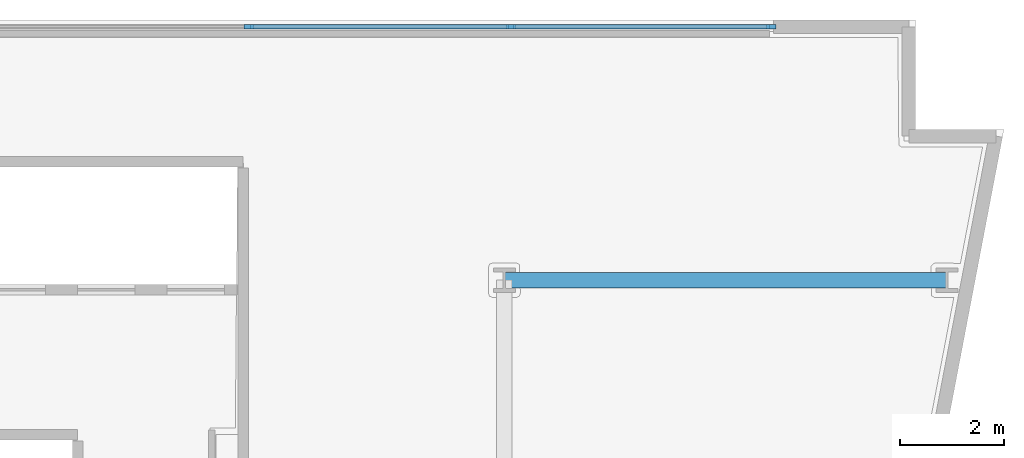
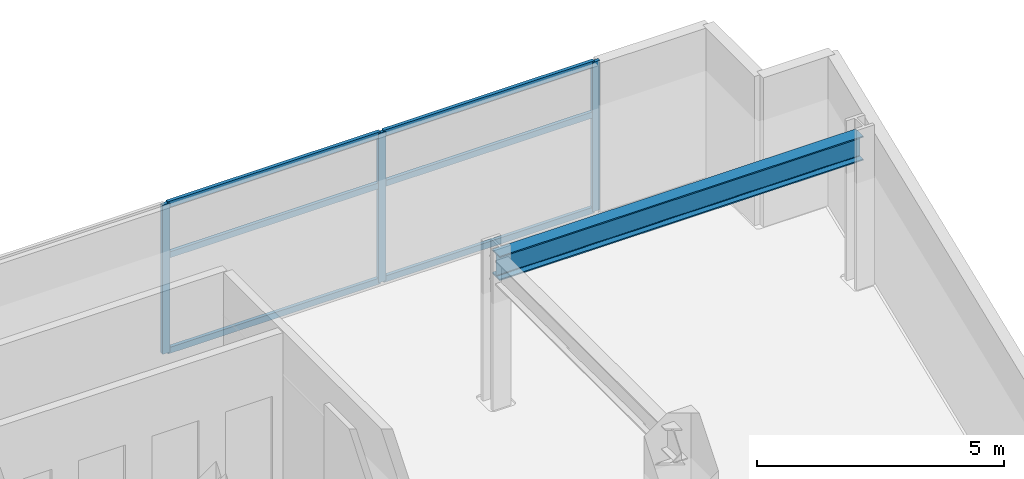
# One storey, part 4 of 13: 9 members, 1 beam, 1 element without a shape of its own.
"""IFC4 building model written with IfcOpenShell, lengths in metres."""

from ifc_helpers import new_model, si_unit, direction, frame, origin, origin_2d, place, context, subcontext, project, spatial, rectangle, i_section, extrude, material, layer, layer_set, material_profile, profile_set, type_object, element, aggregate, save


model = new_model("IFC4")

# Units and contexts
model_context = context("Model", 3, precision=1e-05, world=origin(), true_north=direction((0.0, 1.0)))
body_context = subcontext(model_context, "Body", "Model", "MODEL_VIEW")
ifc_project = project(units=[si_unit("LENGTHUNIT", "METRE"), si_unit("AREAUNIT", "SQUARE_METRE"), si_unit("VOLUMEUNIT", "CUBIC_METRE"), si_unit("PLANEANGLEUNIT", "RADIAN"), si_unit("MASSUNIT", "GRAM", prefix="KILO")], contexts=[model_context])

# Site, building, storey
site_placement = place(None, origin())
site = spatial("IfcSite", under=ifc_project, at=site_placement, CompositionType="ELEMENT")
building_placement = place(site_placement, origin())
building = spatial("IfcBuilding", under=site, at=building_placement, Name="Caeloran Harvest Quay", CompositionType="ELEMENT")
storey_placement = place(building_placement, frame((0.0, 0.0, 135.10009765625)))
storey = spatial("IfcBuildingStorey", under=building, at=storey_placement, Name="L31", CompositionType="ELEMENT", Elevation=135.10009765625)

# Beam
ifc_material_1 = material(Name="Steel S355J2", Category="steel")
ifc_material_profile_1 = material_profile(ifc_material_1, i_section(OverallWidth=0.300048828125, OverallDepth=0.60009765625, WebThickness=0.015380859375, FlangeThickness=0.030029296875, FilletRadius=0.027099609375, at=origin_2d()), Name="HE 600 B")
ifc_profile_set_1 = profile_set([ifc_material_profile_1], Name="Steel S355J2")
beam_type = type_object("IfcBeamType", Name="BM-PG-3-HE_600_B", PredefinedType="BEAM", material=ifc_profile_set_1)
beam_placement = place(storey_placement, frame((42.5, 38.5, 3.389892578125), z_axis=(1.0, 0.0, 0.0), x_axis=(0.0, 1.0, 0.0)))
element("IfcBeam", 1, at=beam_placement, inside=storey, type_object=beam_type, Name="L31 Primary East-West Girder Y=38.5", PredefinedType="BEAM", context=body_context, shape_type="SweptSolid", body=[
    extrude(i_section(OverallWidth=0.300048828125, OverallDepth=0.60009765625, WebThickness=0.015380859375, FlangeThickness=0.030029296875, FilletRadius=0.027099609375, at=origin_2d()), origin(), (0.0, 0.0, 1.0), 8.5),
])

# Curtain wall, members
ifc_material_2 = material(Name="Aluminium 6063-T6 and Low-E Glazing", Category="aluminium")
ifc_layer = layer(ifc_material_2, 0.18994140625, Name="Aluminium 6063-T6 and Low-E Glazing")
ifc_layer_set = layer_set([ifc_layer], Name="Aluminium 6063-T6 and Low-E Glazing")
curtain_wall_type = type_object("IfcCurtainWallType", Name="CW-SYS-CW-3", PredefinedType="USERDEFINED", material=ifc_layer_set)
curtain_wall_placement = place(storey_placement, origin())
curtain_wall = element("IfcCurtainWall", 2, at=curtain_wall_placement, inside=storey, type_object=curtain_wall_type, Name="L31 Unitised Curtain Wall CW-3 Run 6", ObjectType="CURTAIN_WALL", PredefinedType="USERDEFINED")
ifc_material_3 = material(Name="Aluminium 6063-T6", Category="aluminium")
ifc_material_profile_2 = material_profile(ifc_material_3, rectangle(XDim=0.080078125, YDim=0.179931640625, at=origin_2d()), Name="CW-MULLION-180")
ifc_profile_set_2 = profile_set([ifc_material_profile_2], Name="Aluminium 6063-T6")
member_type_1 = type_object("IfcMemberType", Name="CW-MULLION-180", PredefinedType="MULLION", material=ifc_profile_set_2)
member_1_placement = place(storey_placement, frame((37.5849609375, 43.3701171875, 0.0), z_axis=(0.0, 0.0, 1.0), x_axis=(0.0, 1.0, 0.0)))
member_1 = element("IfcMember", 3, at=member_1_placement, type_object=member_type_1, Name="CW-3 mullion 7", PredefinedType="MULLION", context=body_context, shape_type="SweptSolid", body=[
    extrude(rectangle(XDim=0.080078125, YDim=0.179931640625, at=origin_2d()), origin(), (0.0, 0.0, 1.0), 3.68994140625),
])
member_2_placement = place(storey_placement, frame((42.62744140625, 43.3701171875, 0.0), z_axis=(0.0, 0.0, 1.0), x_axis=(0.0, 1.0, 0.0)))
member_2 = element("IfcMember", 4, at=member_2_placement, type_object=member_type_1, Name="CW-3 mullion 8", PredefinedType="MULLION", context=body_context, shape_type="SweptSolid", body=[
    extrude(rectangle(XDim=0.080078125, YDim=0.179931640625, at=origin_2d()), origin(), (0.0, 0.0, 1.0), 3.68994140625),
])
member_3_placement = place(storey_placement, frame((47.6298828125, 43.3701171875, 0.0), z_axis=(0.0, 0.0, 1.0), x_axis=(0.0, 1.0, 0.0)))
member_3 = element("IfcMember", 5, at=member_3_placement, type_object=member_type_1, Name="CW-3 mullion 9", PredefinedType="MULLION", context=body_context, shape_type="SweptSolid", body=[
    extrude(rectangle(XDim=0.080078125, YDim=0.179931640625, at=origin_2d()), origin(), (0.0, 0.0, 1.0), 3.68994140625),
])
ifc_material_profile_3 = material_profile(ifc_material_3, rectangle(XDim=0.080078125, YDim=0.14990234375, at=origin_2d()), Name="CW-TRANSOM-150")
ifc_profile_set_3 = profile_set([ifc_material_profile_3], Name="Aluminium 6063-T6")
member_type_2 = type_object("IfcMemberType", Name="CW-TRANSOM-150", PredefinedType="USERDEFINED", material=ifc_profile_set_3)
member_4_placement = place(storey_placement, frame((37.625, 43.3701171875, 0.039794921875), z_axis=(1.0, 0.0, 0.0), x_axis=(0.0, 1.0, 0.0)))
member_4 = element("IfcMember", 6, at=member_4_placement, type_object=member_type_2, Name="CW-3 transom 7.1", ObjectType="TRANSOM", PredefinedType="USERDEFINED", context=body_context, shape_type="SweptSolid", body=[
    extrude(rectangle(XDim=0.080078125, YDim=0.14990234375, at=origin_2d()), origin(), (0.0, 0.0, 1.0), 4.96240234375),
])
member_5_placement = place(storey_placement, frame((37.625, 43.3701171875, 2.39990234375), z_axis=(1.0, 0.0, 0.0), x_axis=(0.0, 1.0, 0.0)))
member_5 = element("IfcMember", 7, at=member_5_placement, type_object=member_type_2, Name="CW-3 transom 7.2", ObjectType="TRANSOM", PredefinedType="USERDEFINED", context=body_context, shape_type="SweptSolid", body=[
    extrude(rectangle(XDim=0.080078125, YDim=0.14990234375, at=origin_2d()), origin(), (0.0, 0.0, 1.0), 4.96240234375),
])
member_6_placement = place(storey_placement, frame((37.625, 43.3701171875, 3.64990234375), z_axis=(1.0, 0.0, 0.0), x_axis=(0.0, 1.0, 0.0)))
member_6 = element("IfcMember", 8, at=member_6_placement, type_object=member_type_2, Name="CW-3 transom 7.3", ObjectType="TRANSOM", PredefinedType="USERDEFINED", context=body_context, shape_type="SweptSolid", body=[
    extrude(rectangle(XDim=0.080078125, YDim=0.14990234375, at=origin_2d()), origin(), (0.0, 0.0, 1.0), 4.96240234375),
])
member_7_placement = place(storey_placement, frame((42.66748046875, 43.3701171875, 0.039794921875), z_axis=(1.0, 0.0, 0.0), x_axis=(0.0, 1.0, 0.0)))
member_7 = element("IfcMember", 9, at=member_7_placement, type_object=member_type_2, Name="CW-3 transom 8.1", ObjectType="TRANSOM", PredefinedType="USERDEFINED", context=body_context, shape_type="SweptSolid", body=[
    extrude(rectangle(XDim=0.080078125, YDim=0.14990234375, at=origin_2d()), origin(), (0.0, 0.0, 1.0), 4.922607421875),
])
member_8_placement = place(storey_placement, frame((42.66748046875, 43.3701171875, 2.39990234375), z_axis=(1.0, 0.0, 0.0), x_axis=(0.0, 1.0, 0.0)))
member_8 = element("IfcMember", 10, at=member_8_placement, type_object=member_type_2, Name="CW-3 transom 8.2", ObjectType="TRANSOM", PredefinedType="USERDEFINED", context=body_context, shape_type="SweptSolid", body=[
    extrude(rectangle(XDim=0.080078125, YDim=0.14990234375, at=origin_2d()), origin(), (0.0, 0.0, 1.0), 4.922607421875),
])
member_9_placement = place(storey_placement, frame((42.66748046875, 43.3701171875, 3.64990234375), z_axis=(1.0, 0.0, 0.0), x_axis=(0.0, 1.0, 0.0)))
member_9 = element("IfcMember", 11, at=member_9_placement, type_object=member_type_2, Name="CW-3 transom 8.3", ObjectType="TRANSOM", PredefinedType="USERDEFINED", context=body_context, shape_type="SweptSolid", body=[
    extrude(rectangle(XDim=0.080078125, YDim=0.14990234375, at=origin_2d()), origin(), (0.0, 0.0, 1.0), 4.922607421875),
])
aggregate(curtain_wall, [member_1, member_2, member_3, member_4, member_5, member_6, member_7, member_8, member_9])

save(model, "model.ifc")
